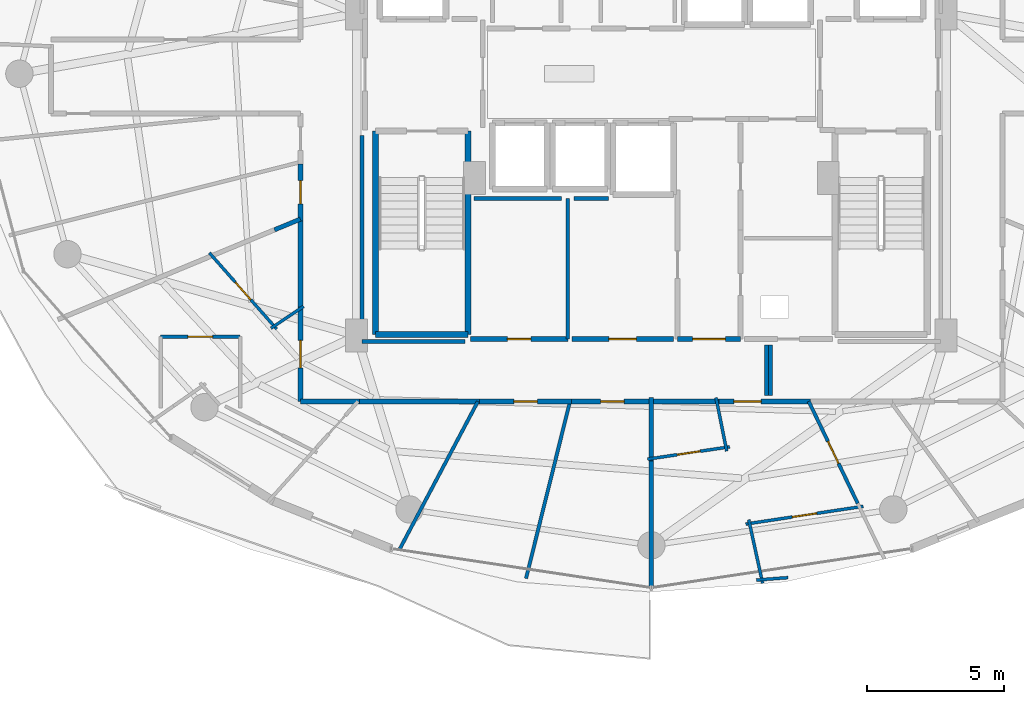
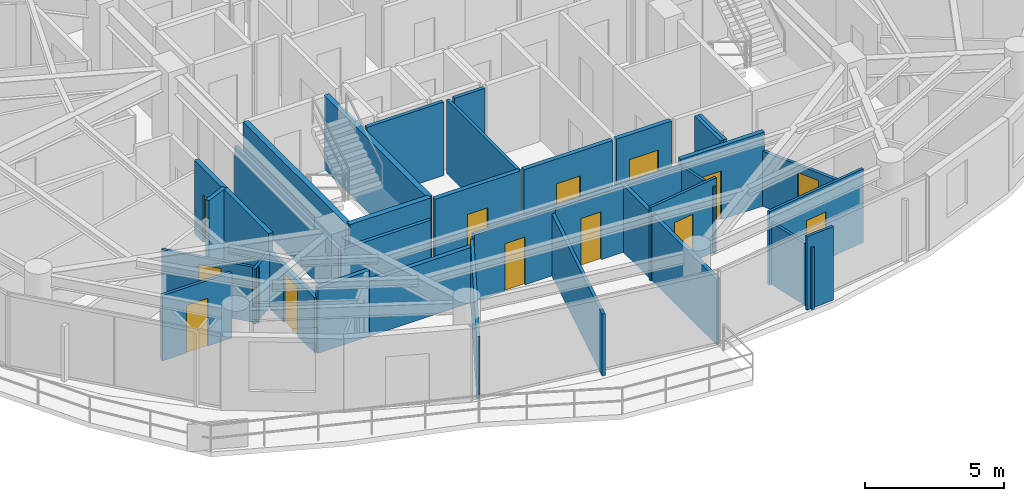
# One storey, part 20 of 28: 36 walls, 13 doors, 13 openings.
"""IFC4 building model written with IfcOpenShell, lengths in metres."""

from ifc_helpers import new_model, si_unit, direction, frame, frame_2d, origin, place, context, subcontext, project, spatial, rectangle, extrude, material, layer, layer_set, type_object, element, fill, save


model = new_model("IFC4")

# Units and contexts
model_context = context("Model", 3, precision=1e-05, world=origin(), true_north=direction((0.0, 1.0)))
body_context = subcontext(model_context, "Body", "Model", "MODEL_VIEW")
ifc_project = project(units=[si_unit("LENGTHUNIT", "METRE"), si_unit("AREAUNIT", "SQUARE_METRE"), si_unit("VOLUMEUNIT", "CUBIC_METRE"), si_unit("PLANEANGLEUNIT", "RADIAN"), si_unit("MASSUNIT", "GRAM", prefix="KILO")], contexts=[model_context])

# Site, building, storey
site_placement = place(None, origin())
site = spatial("IfcSite", under=ifc_project, at=site_placement, CompositionType="ELEMENT")
building_placement = place(site_placement, origin())
building = spatial("IfcBuilding", under=site, at=building_placement, Name="Vorneva Point Tower", CompositionType="ELEMENT")
storey_placement = place(building_placement, frame((0.0, 0.0, 160.60009765625)))
storey = spatial("IfcBuildingStorey", under=building, at=storey_placement, Name="L43", CompositionType="ELEMENT", Elevation=160.60009765625)

# Wall
ifc_material_1 = material(Name="Fire-rated acoustic gypsum stud partition", Category="gypsum")
ifc_layer_1 = layer(ifc_material_1, 0.110107421875)
ifc_layer_set_1 = layer_set([ifc_layer_1], Name="Fire-rated acoustic gypsum stud partition")
wall_type_1 = type_object("IfcWallType", Name="WL-PART-110", PredefinedType="PARTITIONING", material=ifc_layer_set_1)
wall_1_placement = place(storey_placement, frame((25.31640625, 17.513916015625, 0.0), z_axis=(0.0, 0.0, 1.0), x_axis=(-0.830948636418, -0.556349138253, 0.0)))
element("IfcWall", 1, at=wall_1_placement, inside=storey, type_object=wall_type_1, Name="L43 Interior Partition 103", PredefinedType="PARTITIONING", context=body_context, shape_type="SweptSolid", body=[
    extrude(rectangle(XDim=1.43408203125, YDim=0.110107421875, at=frame_2d((0.717041015625, 0.0))), origin(), (0.0, 0.0, 1.0), 2.431884765625),
])

# Wall, opening, door
wall_2_placement = place(storey_placement, frame((24.333740234375, 16.689208984375, 0.0), z_axis=(0.0, 0.0, 1.0), x_axis=(-0.662140147261, 0.749380027346, 0.0)))
wall_2 = element("IfcWall", 2, at=wall_2_placement, inside=storey, type_object=wall_type_1, Name="L43 Interior Partition 104", PredefinedType="PARTITIONING", context=body_context, shape_type="SweptSolid", body=[
    extrude(rectangle(XDim=3.705322265625, YDim=0.110107421875, at=frame_2d((1.8525390625, 0.0))), origin(), (0.0, 0.0, 1.0), 2.431884765625),
])
opening_1_placement = place(wall_2_placement, frame((1.427734375, 0.0, 0.0)))
opening_1 = element("IfcOpeningElement", 3, at=opening_1_placement, cuts=wall_2, Name="Opening ID-02", PredefinedType="OPENING", context=body_context, shape_type="SweptSolid", body=[
    extrude(rectangle(XDim=0.85009765625, YDim=2.10009765625, at=frame_2d((0.425048828125, 1.050048828125))), frame((0.0, 0.06982421875, 0.0), z_axis=(0.0, -1.0, 0.0), x_axis=(1.0, 0.0, 0.0)), (0.0, 0.0, 1.0), 0.139892578125),
])
ifc_material_2 = material(Name="Engineered oak fire-rated door leaf", Category="wood")
door_type_1 = type_object("IfcDoorType", Name="DR-BATH-850", OperationType="NOTDEFINED", PredefinedType="DOOR", material=ifc_material_2)
door_1_placement = place(opening_1_placement, origin())
door_1 = element("IfcDoor", 4, at=door_1_placement, inside=storey, type_object=door_type_1, Name="L43 Door Living and Dining Room L43-03 / Bathroom L43-03", OperationType="SINGLE_SWING_LEFT", OverallHeight=2.10009765625, OverallWidth=0.85009765625, PredefinedType="DOOR", context=body_context, shape_type="SweptSolid", body=[
    extrude(rectangle(XDim=0.85009765625, YDim=2.10009765625, at=frame_2d((0.425048828125, 1.050048828125))), frame((0.0, 0.02490234375, 0.0), z_axis=(0.0, -1.0, 0.0), x_axis=(1.0, 0.0, 0.0)), (0.0, 0.0, 1.0), 0.050048828125),
])
fill(opening_1, door_1)

# Wall
wall_3_placement = place(storey_placement, frame((40.357666015625, 14.187255859375, 0.0), z_axis=(0.0, 0.0, 1.0), x_axis=(0.195313900905, -0.980740781304, 0.0)))
element("IfcWall", 5, at=wall_3_placement, inside=storey, type_object=wall_type_1, Name="L43 Interior Partition 118", PredefinedType="PARTITIONING", context=body_context, shape_type="SweptSolid", body=[
    extrude(rectangle(XDim=1.989990234375, YDim=0.110107421875, at=frame_2d((0.9951171875, 0.0))), origin(), (0.0, 0.0, 1.0), 2.928955078125),
])

# Wall, opening, door
wall_4_placement = place(storey_placement, frame((40.857421875, 12.393798828125, 0.0), z_axis=(0.0, 0.0, 1.0), x_axis=(-0.988873015636, -0.148762088409, 0.0)))
wall_4 = element("IfcWall", 6, at=wall_4_placement, inside=storey, type_object=wall_type_1, Name="L43 Interior Partition 119", PredefinedType="PARTITIONING", context=body_context, shape_type="SweptSolid", body=[
    extrude(rectangle(XDim=3.029541015625, YDim=0.110107421875, at=frame_2d((1.5146484375, 0.0))), origin(), (0.0, 0.0, 1.0), 3.239990234375),
])
opening_2_placement = place(wall_4_placement, frame((1.089599609375, 0.0, 0.0)))
opening_2 = element("IfcOpeningElement", 7, at=opening_2_placement, cuts=wall_4, Name="Opening ID-02", PredefinedType="OPENING", context=body_context, shape_type="SweptSolid", body=[
    extrude(rectangle(XDim=0.85009765625, YDim=2.10009765625, at=frame_2d((0.425048828125, 1.050048828125))), frame((0.0, 0.06982421875, 0.0), z_axis=(0.0, -1.0, 0.0), x_axis=(1.0, 0.0, 0.0)), (0.0, 0.0, 1.0), 0.139892578125),
])
door_2_placement = place(opening_2_placement, origin())
door_2 = element("IfcDoor", 8, at=door_2_placement, inside=storey, type_object=door_type_1, Name="L43 Door Living and Dining Room L43-04 / Bathroom L43-04", OperationType="SINGLE_SWING_LEFT", OverallHeight=2.10009765625, OverallWidth=0.85009765625, PredefinedType="DOOR", context=body_context, shape_type="SweptSolid", body=[
    extrude(rectangle(XDim=0.85009765625, YDim=2.10009765625, at=frame_2d((0.425048828125, 1.050048828125))), frame((0.0, 0.02490234375, 0.0), z_axis=(0.0, -1.0, 0.0), x_axis=(1.0, 0.0, 0.0)), (0.0, 0.0, 1.0), 0.050048828125),
])
fill(opening_2, door_2)

# Wall
wall_5_placement = place(storey_placement, frame((42.056884765625, 7.414306640625, 0.0), z_axis=(0.0, 0.0, 1.0), x_axis=(-0.213381137421, 0.976969032361, 0.0)))
element("IfcWall", 9, at=wall_5_placement, inside=storey, type_object=wall_type_1, Name="L43 Interior Partition 120", PredefinedType="PARTITIONING", context=body_context, shape_type="SweptSolid", body=[
    extrude(rectangle(XDim=2.375244140625, YDim=0.110107421875, at=frame_2d((1.1875, 0.0))), origin(), (0.0, 0.0, 1.0), 2.727783203125),
])

# Wall, opening, door
wall_6_placement = place(storey_placement, frame((41.441650390625, 9.5771484375, 0.0), z_axis=(0.0, 0.0, 1.0), x_axis=(0.988864290865, 0.148820073417, 0.0)))
wall_6 = element("IfcWall", 10, at=wall_6_placement, inside=storey, type_object=wall_type_1, Name="L43 Interior Partition 121", PredefinedType="PARTITIONING", context=body_context, shape_type="SweptSolid", body=[
    extrude(rectangle(XDim=4.3310546875, YDim=0.110107421875, at=frame_2d((2.16552734375, 0.0))), origin(), (0.0, 0.0, 1.0), 3.239990234375),
])
opening_3_placement = place(wall_6_placement, frame((1.715576171875, 0.0, 0.0)))
opening_3 = element("IfcOpeningElement", 11, at=opening_3_placement, cuts=wall_6, Name="Opening ID-01", PredefinedType="OPENING", context=body_context, shape_type="SweptSolid", body=[
    extrude(rectangle(XDim=0.89990234375, YDim=2.10009765625, at=frame_2d((0.449951171875, 1.050048828125))), frame((0.0, 0.06982421875, 0.0), z_axis=(0.0, -1.0, 0.0), x_axis=(1.0, 0.0, 0.0)), (0.0, 0.0, 1.0), 0.139892578125),
])
door_type_2 = type_object("IfcDoorType", Name="DR-ROOM-900", OperationType="NOTDEFINED", PredefinedType="DOOR", material=ifc_material_2)
door_3_placement = place(opening_3_placement, origin())
door_3 = element("IfcDoor", 12, at=door_3_placement, inside=storey, type_object=door_type_2, Name="L43 Door Living and Dining Room L43-04 / Kitchen L43-04", OperationType="SINGLE_SWING_RIGHT", OverallHeight=2.10009765625, OverallWidth=0.89990234375, PredefinedType="DOOR", context=body_context, shape_type="SweptSolid", body=[
    extrude(rectangle(XDim=0.89990234375, YDim=2.10009765625, at=frame_2d((0.449951171875, 1.050048828125))), frame((0.0, 0.02490234375, 0.0), z_axis=(0.0, -1.0, 0.0), x_axis=(1.0, 0.0, 0.0)), (0.0, 0.0, 1.0), 0.050048828125),
])
fill(opening_3, door_3)

# Walls
wall_7_placement = place(storey_placement, frame((41.827392578125, 7.535400390625, 0.0), z_axis=(0.0, 0.0, 1.0), x_axis=(0.997175725754, 0.07510374137, 0.0)))
element("IfcWall", 13, at=wall_7_placement, inside=storey, type_object=wall_type_1, Name="L43 Interior Partition 123", PredefinedType="PARTITIONING", context=body_context, shape_type="SweptSolid", body=[
    extrude(rectangle(XDim=1.160400390625, YDim=0.110107421875, at=frame_2d((0.580078125, 0.0))), origin(), (0.0, 0.0, 1.0), 3.239990234375),
])
ifc_layer_2 = layer(ifc_material_1, 0.125)
ifc_layer_set_2 = layer_set([ifc_layer_2], Name="Fire-rated acoustic gypsum stud partition")
wall_type_2 = type_object("IfcWallType", Name="WL-PART-125", PredefinedType="PARTITIONING", material=ifc_layer_set_2)
wall_8_placement = place(storey_placement, frame((34.949951171875, 16.320068359375, 0.0), z_axis=(0.0, 0.0, 1.0), x_axis=(0.0, 1.0, 0.0)))
element("IfcWall", 14, at=wall_8_placement, inside=storey, type_object=wall_type_2, Name="L43 Interior Partition 031", PredefinedType="PARTITIONING", context=body_context, shape_type="SweptSolid", body=[
    extrude(rectangle(XDim=5.1298828125, YDim=0.125, at=frame_2d((2.56494140625, 0.0))), origin(), (0.0, 0.0, 1.0), 3.239990234375),
])

# Wall, opening, door
wall_9_placement = place(storey_placement, frame((20.09912109375, 16.408935546875, 0.0), z_axis=(0.0, 0.0, 1.0), x_axis=(1.0, 0.0, 0.0)))
wall_9 = element("IfcWall", 15, at=wall_9_placement, inside=storey, type_object=wall_type_2, Name="L43 Interior Partition 109", PredefinedType="PARTITIONING", context=body_context, shape_type="SweptSolid", body=[
    extrude(rectangle(XDim=2.89990234375, YDim=0.125, at=frame_2d((1.449951171875, 0.0))), origin(), (0.0, 0.0, 1.0), 2.885986328125),
])
opening_4_placement = place(wall_9_placement, frame((1.0, 0.0, 0.0)))
opening_4 = element("IfcOpeningElement", 16, at=opening_4_placement, cuts=wall_9, Name="Opening ID-01", PredefinedType="OPENING", context=body_context, shape_type="SweptSolid", body=[
    extrude(rectangle(XDim=0.89990234375, YDim=2.10009765625, at=frame_2d((0.449951171875, 1.050048828125))), frame((0.0, 0.077392578125, 0.0), z_axis=(0.0, -1.0, 0.0), x_axis=(1.0, 0.0, 0.0)), (0.0, 0.0, 1.0), 0.15478515625),
])
door_4_placement = place(opening_4_placement, origin())
door_4 = element("IfcDoor", 17, at=door_4_placement, inside=storey, type_object=door_type_2, Name="L43 Door Living and Dining Room L43-03 / Study Room L43-03", OperationType="SINGLE_SWING_LEFT", OverallHeight=2.10009765625, OverallWidth=0.89990234375, PredefinedType="DOOR", context=body_context, shape_type="SweptSolid", body=[
    extrude(rectangle(XDim=0.89990234375, YDim=2.10009765625, at=frame_2d((0.449951171875, 1.050048828125))), frame((0.0, 0.02490234375, 0.0), z_axis=(0.0, -1.0, 0.0), x_axis=(1.0, 0.0, 0.0)), (0.0, 0.0, 1.0), 0.050048828125),
])
fill(opening_4, door_4)

# Walls
wall_10_placement = place(storey_placement, frame((28.7939453125, 8.614013671875, 0.0), z_axis=(0.0, 0.0, 1.0), x_axis=(0.468046359573, 0.883703912682, 0.0)))
element("IfcWall", 18, at=wall_10_placement, inside=storey, type_object=wall_type_2, Name="L43 Interior Partition 114", PredefinedType="PARTITIONING", context=body_context, shape_type="SweptSolid", body=[
    extrude(rectangle(XDim=6.1513671875, YDim=0.125, at=frame_2d((3.07568359375, 0.0))), origin(), (0.0, 0.0, 1.0), 2.727783203125),
])
wall_11_placement = place(storey_placement, frame((33.427001953125, 7.592041015625, 0.0), z_axis=(0.0, 0.0, 1.0), x_axis=(0.241188715884, 0.970478234341, 0.0)))
element("IfcWall", 19, at=wall_11_placement, inside=storey, type_object=wall_type_2, Name="L43 Interior Partition 115", PredefinedType="PARTITIONING", context=body_context, shape_type="SweptSolid", body=[
    extrude(rectangle(XDim=6.654541015625, YDim=0.125, at=frame_2d((3.3271484375, 0.0))), origin(), (0.0, 0.0, 1.0), 2.727783203125),
])

# Wall, opening, door
wall_12_placement = place(storey_placement, frame((45.525634765625, 10.327392578125, 0.0), z_axis=(0.0, 0.0, 1.0), x_axis=(-0.432873287366, 0.90145477817, 0.0)))
wall_12 = element("IfcWall", 20, at=wall_12_placement, inside=storey, type_object=wall_type_2, Name="L43 Interior Partition 124", PredefinedType="PARTITIONING", context=body_context, shape_type="SweptSolid", body=[
    extrude(rectangle(XDim=4.129638671875, YDim=0.125, at=frame_2d((2.06494140625, 0.0))), origin(), (0.0, 0.0, 1.0), 2.431884765625),
])
opening_5_placement = place(wall_12_placement, frame((1.61474609375, 0.0, 0.0)))
opening_5 = element("IfcOpeningElement", 21, at=opening_5_placement, cuts=wall_12, Name="Opening ID-01", PredefinedType="OPENING", context=body_context, shape_type="SweptSolid", body=[
    extrude(rectangle(XDim=0.89990234375, YDim=2.10009765625, at=frame_2d((0.449951171875, 1.050048828125))), frame((0.0, 0.077392578125, 0.0), z_axis=(0.0, -1.0, 0.0), x_axis=(1.0, 0.0, 0.0)), (0.0, 0.0, 1.0), 0.15478515625),
])
door_5_placement = place(opening_5_placement, origin())
door_5 = element("IfcDoor", 22, at=door_5_placement, inside=storey, type_object=door_type_2, Name="L43 Door Living and Dining Room L43-04 / Master Bedroom L43-04.1", OperationType="SINGLE_SWING_LEFT", OverallHeight=2.10009765625, OverallWidth=0.89990234375, PredefinedType="DOOR", context=body_context, shape_type="SweptSolid", body=[
    extrude(rectangle(XDim=0.89990234375, YDim=2.10009765625, at=frame_2d((0.449951171875, 1.050048828125))), frame((0.0, 0.02490234375, 0.0), z_axis=(0.0, -1.0, 0.0), x_axis=(1.0, 0.0, 0.0)), (0.0, 0.0, 1.0), 0.050048828125),
])
fill(opening_5, door_5)

# Walls
ifc_layer_3 = layer(ifc_material_1, 0.139892578125)
ifc_layer_set_3 = layer_set([ifc_layer_3], Name="Fire-rated acoustic gypsum stud partition")
wall_type_3 = type_object("IfcWallType", Name="WL-PART-140", PredefinedType="PARTITIONING", material=ifc_layer_set_3)
wall_13_placement = place(storey_placement, frame((34.72998046875, 21.449951171875, 0.0), z_axis=(0.0, 0.0, 1.0), x_axis=(-1.0, 0.0, 0.0)))
element("IfcWall", 23, at=wall_13_placement, inside=storey, type_object=wall_type_3, Name="L43 Interior Closure Partition 135", PredefinedType="PARTITIONING", context=body_context, shape_type="SweptSolid", body=[
    extrude(rectangle(XDim=3.199951171875, YDim=0.139892578125, at=frame_2d((1.60009765625, 0.0))), origin(), (0.0, 0.0, 1.0), 3.239990234375),
])
wall_14_placement = place(storey_placement, frame((36.43896484375, 21.449951171875, 0.0), z_axis=(0.0, 0.0, 1.0), x_axis=(-1.0, 0.0, 0.0)))
element("IfcWall", 24, at=wall_14_placement, inside=storey, type_object=wall_type_3, Name="L43 Interior Closure Partition 136", PredefinedType="PARTITIONING", context=body_context, shape_type="SweptSolid", body=[
    extrude(rectangle(XDim=1.259033203125, YDim=0.139892578125, at=frame_2d((0.62939453125, 0.0))), origin(), (0.0, 0.0, 1.0), 3.239990234375),
])
wall_15_placement = place(storey_placement, frame((27.449951171875, 23.75390625, 0.0), z_axis=(0.0, 0.0, 1.0), x_axis=(0.0, -1.0, 0.0)))
element("IfcWall", 25, at=wall_15_placement, inside=storey, type_object=wall_type_3, Name="L43 Interior Closure Partition 146", PredefinedType="PARTITIONING", context=body_context, shape_type="SweptSolid", body=[
    extrude(rectangle(XDim=7.513916015625, YDim=0.139892578125, at=frame_2d((3.7568359375, 0.0))), origin(), (0.0, 0.0, 1.0), 2.431884765625),
])
wall_16_placement = place(storey_placement, frame((27.449951171875, 16.239990234375, 0.0), z_axis=(0.0, 0.0, 1.0), x_axis=(1.0, 0.0, 0.0)))
element("IfcWall", 26, at=wall_16_placement, inside=storey, type_object=wall_type_3, Name="L43 Interior Closure Partition 147", PredefinedType="PARTITIONING", context=body_context, shape_type="SweptSolid", body=[
    extrude(rectangle(XDim=3.7451171875, YDim=0.139892578125, at=frame_2d((1.87255859375, 0.0))), origin(), (0.0, 0.0, 1.0), 2.431884765625),
])
for number, where, z_axis, x_axis, name in (
    (27, (42.199951171875, 16.10009765625, 0.0), (0.0, 0.0, 1.0), (0.0, -1.0, 0.0), "L43 Interior Closure Partition 148"),
    (28, (42.340087890625, 14.27001953125, 0.0), (0.0, 0.0, 1.0), (0.0, 1.0, 0.0), "L43 Interior Closure Partition 149"),
):
    element("IfcWall", number, at=place(storey_placement, frame(where, z_axis=z_axis, x_axis=x_axis)), inside=storey, type_object=wall_type_3, Name=name, PredefinedType="PARTITIONING", context=body_context, shape_type="SweptSolid", body=[
        extrude(rectangle(XDim=1.830078125, YDim=0.139892578125, at=frame_2d((0.9150390625, 0.0))), origin(), (0.0, 0.0, 1.0), 3.239990234375),
    ])
ifc_layer_4 = layer(ifc_material_1, 0.159912109375)
ifc_layer_set_4 = layer_set([ifc_layer_4], Name="Fire-rated acoustic gypsum stud partition")
wall_type_4 = type_object("IfcWallType", Name="WL-PART-160", PredefinedType="PARTITIONING", material=ifc_layer_set_4)
wall_17_placement = place(storey_placement, frame((24.253662109375, 20.306396484375, 0.0), z_axis=(0.0, 0.0, 1.0), x_axis=(0.923789545328, 0.382900608439, 0.0)))
element("IfcWall", 29, at=wall_17_placement, inside=storey, type_object=wall_type_4, Name="L43 Interior Partition 102", PredefinedType="PARTITIONING", context=body_context, shape_type="SweptSolid", body=[
    extrude(rectangle(XDim=1.021484375, YDim=0.159912109375, at=frame_2d((0.5107421875, 0.0))), origin(), (0.0, 0.0, 1.0), 3.239990234375),
])
wall_18_placement = place(storey_placement, frame((38.0, 7.25, 0.0), z_axis=(0.0, 0.0, 1.0), x_axis=(0.0, 1.0, 0.0)))
element("IfcWall", 30, at=wall_18_placement, inside=storey, type_object=wall_type_4, Name="L43 Interior Partition 116", PredefinedType="PARTITIONING", context=body_context, shape_type="SweptSolid", body=[
    extrude(rectangle(XDim=4.77490234375, YDim=0.159912109375, at=frame_2d((2.387451171875, 0.0))), origin(), (0.0, 0.0, 1.0), 2.885986328125),
])
wall_19_placement = place(storey_placement, frame((38.0, 11.885009765625, 0.0), z_axis=(0.0, 0.0, 1.0), x_axis=(0.0, 1.0, 0.0)))
element("IfcWall", 31, at=wall_19_placement, inside=storey, type_object=wall_type_4, Name="L43 Interior Partition 117", PredefinedType="PARTITIONING", context=body_context, shape_type="SweptSolid", body=[
    extrude(rectangle(XDim=2.304931640625, YDim=0.159912109375, at=frame_2d((1.15234375, 0.0))), origin(), (0.0, 0.0, 1.0), 2.928955078125),
])

# Wall, opening, door
ifc_material_3 = material(Name="Autoclaved aerated concrete blockwork", Category="masonry")
ifc_layer_5 = layer(ifc_material_3, 0.179931640625)
ifc_layer_set_5 = layer_set([ifc_layer_5], Name="Autoclaved aerated concrete blockwork")
wall_type_5 = type_object("IfcWallType", Name="WL-PART-180", PredefinedType="PARTITIONING", material=ifc_layer_set_5)
wall_20_placement = place(storey_placement, frame((38.949951171875, 16.320068359375, 0.0), z_axis=(0.0, 0.0, 1.0), x_axis=(1.0, 0.0, 0.0)))
wall_20 = element("IfcWall", 32, at=wall_20_placement, inside=storey, type_object=wall_type_5, Name="L43 Interior Partition 017", PredefinedType="PARTITIONING", context=body_context, shape_type="SweptSolid", body=[
    extrude(rectangle(XDim=2.300048828125, YDim=0.179931640625, at=frame_2d((1.14990234375, 0.0))), origin(), (0.0, 0.0, 1.0), 3.239990234375),
])
opening_6_placement = place(wall_20_placement, frame((0.550048828125, 0.0, 0.0)))
opening_6 = element("IfcOpeningElement", 33, at=opening_6_placement, cuts=wall_20, Name="Opening FD-02", PredefinedType="OPENING", context=body_context, shape_type="SweptSolid", body=[
    extrude(rectangle(XDim=1.199951171875, YDim=2.14990234375, at=frame_2d((0.60009765625, 1.074951171875))), frame((0.0, 0.10498046875, 0.0), z_axis=(0.0, -1.0, 0.0), x_axis=(1.0, 0.0, 0.0)), (0.0, 0.0, 1.0), 0.209716796875),
])
ifc_material_4 = material(Name="Fire-rated powder-coated steel", Category="steel")
door_type_3 = type_object("IfcDoorType", Name="DR-FFL-1200", OperationType="NOTDEFINED", PredefinedType="DOOR", material=ifc_material_4)
door_6_placement = place(opening_6_placement, origin())
door_6 = element("IfcDoor", 34, at=door_6_placement, inside=storey, type_object=door_type_3, Name="L43 Door Core Service Lobby / L43 Circulation Corridor", OperationType="SINGLE_SWING_LEFT", OverallHeight=2.14990234375, OverallWidth=1.199951171875, PredefinedType="DOOR", context=body_context, shape_type="SweptSolid", body=[
    extrude(rectangle(XDim=1.199951171875, YDim=2.14990234375, at=frame_2d((0.60009765625, 1.074951171875))), frame((0.0, 0.02490234375, 0.0), z_axis=(0.0, -1.0, 0.0), x_axis=(1.0, 0.0, 0.0)), (0.0, 0.0, 1.0), 0.050048828125),
])
fill(opening_6, door_6)

wall_21_placement = place(storey_placement, frame((31.39990234375, 16.320068359375, 0.0), z_axis=(0.0, 0.0, 1.0), x_axis=(1.0, 0.0, 0.0)))
wall_21 = element("IfcWall", 35, at=wall_21_placement, inside=storey, type_object=wall_type_5, Name="L43 Interior Partition 032", PredefinedType="PARTITIONING", context=body_context, shape_type="SweptSolid", body=[
    extrude(rectangle(XDim=3.550048828125, YDim=0.179931640625, at=frame_2d((1.77490234375, 0.0))), origin(), (0.0, 0.0, 1.0), 3.239990234375),
])
opening_7_placement = place(wall_21_placement, frame((1.35009765625, 0.0, 0.0)))
opening_7 = element("IfcOpeningElement", 36, at=opening_7_placement, cuts=wall_21, Name="Opening ID-02", PredefinedType="OPENING", context=body_context, shape_type="SweptSolid", body=[
    extrude(rectangle(XDim=0.85009765625, YDim=2.10009765625, at=frame_2d((0.425048828125, 1.050048828125))), frame((0.0, 0.10498046875, 0.0), z_axis=(0.0, -1.0, 0.0), x_axis=(1.0, 0.0, 0.0)), (0.0, 0.0, 1.0), 0.209716796875),
])
door_7_placement = place(opening_7_placement, origin())
door_7 = element("IfcDoor", 37, at=door_7_placement, inside=storey, type_object=door_type_1, Name="L43 Door Luggage Store / L43 Circulation Corridor", OperationType="SINGLE_SWING_LEFT", OverallHeight=2.10009765625, OverallWidth=0.85009765625, PredefinedType="DOOR", context=body_context, shape_type="SweptSolid", body=[
    extrude(rectangle(XDim=0.85009765625, YDim=2.10009765625, at=frame_2d((0.425048828125, 1.050048828125))), frame((0.0, 0.02490234375, 0.0), z_axis=(0.0, -1.0, 0.0), x_axis=(1.0, 0.0, 0.0)), (0.0, 0.0, 1.0), 0.050048828125),
])
fill(opening_7, door_7)

wall_22_placement = place(storey_placement, frame((35.10009765625, 16.320068359375, 0.0), z_axis=(0.0, 0.0, 1.0), x_axis=(1.0, 0.0, 0.0)))
wall_22 = element("IfcWall", 38, at=wall_22_placement, inside=storey, type_object=wall_type_5, Name="L43 Interior Partition 033", PredefinedType="PARTITIONING", context=body_context, shape_type="SweptSolid", body=[
    extrude(rectangle(XDim=3.699951171875, YDim=0.179931640625, at=frame_2d((1.85009765625, 0.0))), origin(), (0.0, 0.0, 1.0), 3.239990234375),
])
opening_8_placement = place(wall_22_placement, frame((1.35009765625, 0.0, 0.0)))
opening_8 = element("IfcOpeningElement", 39, at=opening_8_placement, cuts=wall_22, Name="Opening UD-01", PredefinedType="OPENING", context=body_context, shape_type="SweptSolid", body=[
    extrude(rectangle(XDim=1.0, YDim=2.14990234375, at=frame_2d((0.5, 1.074951171875))), frame((0.0, 0.10498046875, 0.0), z_axis=(0.0, -1.0, 0.0), x_axis=(1.0, 0.0, 0.0)), (0.0, 0.0, 1.0), 0.209716796875),
])
door_type_4 = type_object("IfcDoorType", Name="DR-UNIT-1000", OperationType="NOTDEFINED", PredefinedType="DOOR", material=ifc_material_2)
door_8_placement = place(opening_8_placement, origin())
door_8 = element("IfcDoor", 40, at=door_8_placement, inside=storey, type_object=door_type_4, Name="L43 Door Staff Service Pantry / L43 Circulation Corridor", OperationType="SINGLE_SWING_RIGHT", OverallHeight=2.14990234375, OverallWidth=1.0, PredefinedType="DOOR", context=body_context, shape_type="SweptSolid", body=[
    extrude(rectangle(XDim=1.0, YDim=2.14990234375, at=frame_2d((0.5, 1.074951171875))), frame((0.0, 0.02490234375, 0.0), z_axis=(0.0, -1.0, 0.0), x_axis=(1.0, 0.0, 0.0)), (0.0, 0.0, 1.0), 0.050048828125),
])
fill(opening_8, door_8)

wall_23_placement = place(storey_placement, frame((25.199951171875, 22.716064453125, 0.0), z_axis=(0.0, 0.0, 1.0), x_axis=(0.0, -1.0, 0.0)))
wall_23 = element("IfcWall", 41, at=wall_23_placement, inside=storey, type_object=wall_type_5, Name="L43 Interior Partition 050", PredefinedType="PARTITIONING", context=body_context, shape_type="SweptSolid", body=[
    extrude(rectangle(XDim=2.0830078125, YDim=0.179931640625, at=frame_2d((1.04150390625, 0.0))), origin(), (0.0, 0.0, 1.0), 3.239990234375),
])
opening_9_placement = place(wall_23_placement, frame((0.616455078125, 0.0, 0.0)))
opening_9 = element("IfcOpeningElement", 42, at=opening_9_placement, cuts=wall_23, Name="Opening ID-02", PredefinedType="OPENING", context=body_context, shape_type="SweptSolid", body=[
    extrude(rectangle(XDim=0.85009765625, YDim=2.10009765625, at=frame_2d((0.425048828125, 1.050048828125))), frame((0.0, 0.10498046875, 0.0), z_axis=(0.0, -1.0, 0.0), x_axis=(1.0, 0.0, 0.0)), (0.0, 0.0, 1.0), 0.209716796875),
])
door_9_placement = place(opening_9_placement, origin())
door_9 = element("IfcDoor", 43, at=door_9_placement, inside=storey, type_object=door_type_1, Name="L43 Access Door L43 Circulation Corridor", OperationType="SINGLE_SWING_RIGHT", OverallHeight=2.10009765625, OverallWidth=0.85009765625, PredefinedType="DOOR", context=body_context, shape_type="SweptSolid", body=[
    extrude(rectangle(XDim=0.85009765625, YDim=2.10009765625, at=frame_2d((0.425048828125, 1.050048828125))), frame((0.0, 0.02490234375, 0.0), z_axis=(0.0, -1.0, 0.0), x_axis=(1.0, 0.0, 0.0)), (0.0, 0.0, 1.0), 0.050048828125),
])
fill(opening_9, door_9)

wall_24_placement = place(storey_placement, frame((25.199951171875, 17.49609375, 0.0), z_axis=(0.0, 0.0, 1.0), x_axis=(0.0, -1.0, 0.0)))
wall_24 = element("IfcWall", 44, at=wall_24_placement, inside=storey, type_object=wall_type_5, Name="L43 Interior Partition 051", PredefinedType="PARTITIONING", context=body_context, shape_type="SweptSolid", body=[
    extrude(rectangle(XDim=3.446044921875, YDim=0.179931640625, at=frame_2d((1.72314453125, 0.0))), origin(), (0.0, 0.0, 1.0), 2.431884765625),
])
opening_10_placement = place(wall_24_placement, frame((1.222900390625, 0.0, 0.0)))
opening_10 = element("IfcOpeningElement", 45, at=opening_10_placement, cuts=wall_24, Name="Opening UD-01", PredefinedType="OPENING", context=body_context, shape_type="SweptSolid", body=[
    extrude(rectangle(XDim=1.0, YDim=2.14990234375, at=frame_2d((0.5, 1.074951171875))), frame((0.0, 0.10498046875, 0.0), z_axis=(0.0, -1.0, 0.0), x_axis=(1.0, 0.0, 0.0)), (0.0, 0.0, 1.0), 0.209716796875),
])
door_10_placement = place(opening_10_placement, origin())
door_10 = element("IfcDoor", 46, at=door_10_placement, inside=storey, type_object=door_type_4, Name="L43 Door L43 Circulation Corridor / Living and Dining Room L43-03", OperationType="SINGLE_SWING_LEFT", OverallHeight=2.14990234375, OverallWidth=1.0, PredefinedType="DOOR", context=body_context, shape_type="SweptSolid", body=[
    extrude(rectangle(XDim=1.0, YDim=2.14990234375, at=frame_2d((0.5, 1.074951171875))), frame((0.0, 0.02490234375, 0.0), z_axis=(0.0, -1.0, 0.0), x_axis=(1.0, 0.0, 0.0)), (0.0, 0.0, 1.0), 0.050048828125),
])
fill(opening_10, door_10)

# Walls
wall_25_placement = place(storey_placement, frame((25.199951171875, 14.050048828125, 0.0), z_axis=(0.0, 0.0, 1.0), x_axis=(1.0, 0.0, 0.0)))
element("IfcWall", 47, at=wall_25_placement, inside=storey, type_object=wall_type_5, Name="L43 Interior Partition 052", PredefinedType="PARTITIONING", context=body_context, shape_type="SweptSolid", body=[
    extrude(rectangle(XDim=2.156982421875, YDim=0.179931640625, at=frame_2d((1.07861328125, 0.0))), origin(), (0.0, 0.0, 1.0), 2.885986328125),
])
wall_26_placement = place(storey_placement, frame((25.199951171875, 20.77294921875, 0.0), z_axis=(0.0, 0.0, 1.0), x_axis=(0.0, -1.0, 0.0)))
element("IfcWall", 48, at=wall_26_placement, inside=storey, type_object=wall_type_5, Name="L43 Interior Partition 053", PredefinedType="PARTITIONING", context=body_context, shape_type="SweptSolid", body=[
    extrude(rectangle(XDim=3.4169921875, YDim=0.179931640625, at=frame_2d((1.70849609375, 0.0))), origin(), (0.0, 0.0, 1.0), 3.239990234375),
])
wall_27_placement = place(storey_placement, frame((27.35693359375, 14.050048828125, 0.0), z_axis=(0.0, 0.0, 1.0), x_axis=(1.0, 0.0, 0.0)))
element("IfcWall", 49, at=wall_27_placement, inside=storey, type_object=wall_type_5, Name="L43 Interior Partition 054", PredefinedType="PARTITIONING", context=body_context, shape_type="SweptSolid", body=[
    extrude(rectangle(XDim=4.3759765625, YDim=0.179931640625, at=frame_2d((2.18798828125, 0.0))), origin(), (0.0, 0.0, 1.0), 2.431884765625),
])

# Wall, opening, door
wall_28_placement = place(storey_placement, frame((31.73291015625, 14.050048828125, 0.0), z_axis=(0.0, 0.0, 1.0), x_axis=(1.0, 0.0, 0.0)))
wall_28 = element("IfcWall", 50, at=wall_28_placement, inside=storey, type_object=wall_type_5, Name="L43 Interior Partition 055", PredefinedType="PARTITIONING", context=body_context, shape_type="SweptSolid", body=[
    extrude(rectangle(XDim=3.359130859375, YDim=0.179931640625, at=frame_2d((1.6796875, 0.0))), origin(), (0.0, 0.0, 1.0), 2.928955078125),
])
opening_11_placement = place(wall_28_placement, frame((1.25439453125, 0.0, 0.0)))
opening_11 = element("IfcOpeningElement", 51, at=opening_11_placement, cuts=wall_28, Name="Opening ID-02", PredefinedType="OPENING", context=body_context, shape_type="SweptSolid", body=[
    extrude(rectangle(XDim=0.85009765625, YDim=2.10009765625, at=frame_2d((0.425048828125, 1.050048828125))), frame((0.0, 0.10498046875, 0.0), z_axis=(0.0, -1.0, 0.0), x_axis=(1.0, 0.0, 0.0)), (0.0, 0.0, 1.0), 0.209716796875),
])
door_11_placement = place(opening_11_placement, origin())
door_11 = element("IfcDoor", 52, at=door_11_placement, inside=storey, type_object=door_type_1, Name="L43 Access Door L43 Circulation Corridor", OperationType="SINGLE_SWING_LEFT", OverallHeight=2.10009765625, OverallWidth=0.85009765625, PredefinedType="DOOR", context=body_context, shape_type="SweptSolid", body=[
    extrude(rectangle(XDim=0.85009765625, YDim=2.10009765625, at=frame_2d((0.425048828125, 1.050048828125))), frame((0.0, 0.02490234375, 0.0), z_axis=(0.0, -1.0, 0.0), x_axis=(1.0, 0.0, 0.0)), (0.0, 0.0, 1.0), 0.050048828125),
])
fill(opening_11, door_11)

wall_29_placement = place(storey_placement, frame((35.092041015625, 14.050048828125, 0.0), z_axis=(0.0, 0.0, 1.0), x_axis=(1.0, 0.0, 0.0)))
wall_29 = element("IfcWall", 53, at=wall_29_placement, inside=storey, type_object=wall_type_5, Name="L43 Interior Partition 056", PredefinedType="PARTITIONING", context=body_context, shape_type="SweptSolid", body=[
    extrude(rectangle(XDim=2.968017578125, YDim=0.179931640625, at=frame_2d((1.48388671875, 0.0))), origin(), (0.0, 0.0, 1.0), 2.928955078125),
])
opening_12_placement = place(wall_29_placement, frame((1.05908203125, 0.0, 0.0)))
opening_12 = element("IfcOpeningElement", 54, at=opening_12_placement, cuts=wall_29, Name="Opening ID-02", PredefinedType="OPENING", context=body_context, shape_type="SweptSolid", body=[
    extrude(rectangle(XDim=0.85009765625, YDim=2.10009765625, at=frame_2d((0.425048828125, 1.050048828125))), frame((0.0, 0.10498046875, 0.0), z_axis=(0.0, -1.0, 0.0), x_axis=(1.0, 0.0, 0.0)), (0.0, 0.0, 1.0), 0.209716796875),
])
door_12_placement = place(opening_12_placement, origin())
door_12 = element("IfcDoor", 55, at=door_12_placement, inside=storey, type_object=door_type_1, Name="L43 Access Door L43 Circulation Corridor", OperationType="SINGLE_SWING_RIGHT", OverallHeight=2.10009765625, OverallWidth=0.85009765625, PredefinedType="DOOR", context=body_context, shape_type="SweptSolid", body=[
    extrude(rectangle(XDim=0.85009765625, YDim=2.10009765625, at=frame_2d((0.425048828125, 1.050048828125))), frame((0.0, 0.02490234375, 0.0), z_axis=(0.0, -1.0, 0.0), x_axis=(1.0, 0.0, 0.0)), (0.0, 0.0, 1.0), 0.050048828125),
])
fill(opening_12, door_12)

wall_30_placement = place(storey_placement, frame((40.324951171875, 14.050048828125, 0.0), z_axis=(0.0, 0.0, 1.0), x_axis=(1.0, 0.0, 0.0)))
wall_30 = element("IfcWall", 56, at=wall_30_placement, inside=storey, type_object=wall_type_5, Name="L43 Interior Partition 057", PredefinedType="PARTITIONING", context=body_context, shape_type="SweptSolid", body=[
    extrude(rectangle(XDim=3.47998046875, YDim=0.179931640625, at=frame_2d((1.739990234375, 0.0))), origin(), (0.0, 0.0, 1.0), 3.239990234375),
])
opening_13_placement = place(wall_30_placement, frame((0.679931640625, 0.0, 0.0)))
opening_13 = element("IfcOpeningElement", 57, at=opening_13_placement, cuts=wall_30, Name="Opening UD-01", PredefinedType="OPENING", context=body_context, shape_type="SweptSolid", body=[
    extrude(rectangle(XDim=1.0, YDim=2.14990234375, at=frame_2d((0.5, 1.074951171875))), frame((0.0, 0.10498046875, 0.0), z_axis=(0.0, -1.0, 0.0), x_axis=(1.0, 0.0, 0.0)), (0.0, 0.0, 1.0), 0.209716796875),
])
door_13_placement = place(opening_13_placement, origin())
door_13 = element("IfcDoor", 58, at=door_13_placement, inside=storey, type_object=door_type_4, Name="L43 Door L43 Circulation Corridor / Living and Dining Room L43-04", OperationType="SINGLE_SWING_RIGHT", OverallHeight=2.14990234375, OverallWidth=1.0, PredefinedType="DOOR", context=body_context, shape_type="SweptSolid", body=[
    extrude(rectangle(XDim=1.0, YDim=2.14990234375, at=frame_2d((0.5, 1.074951171875))), frame((0.0, 0.02490234375, 0.0), z_axis=(0.0, -1.0, 0.0), x_axis=(1.0, 0.0, 0.0)), (0.0, 0.0, 1.0), 0.050048828125),
])
fill(opening_13, door_13)

# Walls
wall_31_placement = place(storey_placement, frame((37.919921875, 14.050048828125, 0.0), z_axis=(0.0, 0.0, 1.0), x_axis=(1.0, 0.0, 0.0)))
element("IfcWall", 59, at=wall_31_placement, inside=storey, type_object=wall_type_5, Name="L43 Interior Partition 058", PredefinedType="PARTITIONING", context=body_context, shape_type="SweptSolid", body=[
    extrude(rectangle(XDim=2.545166015625, YDim=0.179931640625, at=frame_2d((1.2724609375, 0.0))), origin(), (0.0, 0.0, 1.0), 2.928955078125),
])
ifc_material_5 = material(Name="Concrete B50 (C40/50)", Category="concrete")
ifc_layer_6 = layer(ifc_material_5, 0.219970703125)
ifc_layer_set_6 = layer_set([ifc_layer_6], Name="Concrete B50 (C40/50)")
wall_type_6 = type_object("IfcWallType", Name="WL-SHFT-220", PredefinedType="SOLIDWALL", material=ifc_layer_set_6)
wall_32_placement = place(storey_placement, frame((31.31005859375, 23.909912109375, 0.0), z_axis=(0.0, 0.0, 1.0), x_axis=(0.0, -1.0, 0.0)))
element("IfcWall", 60, at=wall_32_placement, inside=storey, type_object=wall_type_6, Name="L43 Exit Stair ST1 Shaft Wall right", PredefinedType="SOLIDWALL", context=body_context, shape_type="SweptSolid", body=[
    extrude(rectangle(XDim=7.419921875, YDim=0.219970703125, at=frame_2d((3.7099609375, 0.0))), origin(), (0.0, 0.0, 1.0), 3.239990234375),
])
wall_33_placement = place(storey_placement, frame((31.31005859375, 16.489990234375, 0.0), z_axis=(0.0, 0.0, 1.0), x_axis=(-1.0, 0.0, 0.0)))
element("IfcWall", 61, at=wall_33_placement, inside=storey, type_object=wall_type_6, Name="L43 Exit Stair ST1 Shaft Wall far", PredefinedType="SOLIDWALL", context=body_context, shape_type="SweptSolid", body=[
    extrude(rectangle(XDim=3.3701171875, YDim=0.219970703125, at=frame_2d((1.68505859375, 0.0))), origin(), (0.0, 0.0, 1.0), 3.239990234375),
])
wall_34_placement = place(storey_placement, frame((27.93994140625, 16.489990234375, 0.0), z_axis=(0.0, 0.0, 1.0), x_axis=(0.0, 1.0, 0.0)))
element("IfcWall", 62, at=wall_34_placement, inside=storey, type_object=wall_type_6, Name="L43 Exit Stair ST1 Shaft Wall left", PredefinedType="SOLIDWALL", context=body_context, shape_type="SweptSolid", body=[
    extrude(rectangle(XDim=7.419921875, YDim=0.219970703125, at=frame_2d((3.7099609375, 0.0))), origin(), (0.0, 0.0, 1.0), 3.239990234375),
])

save(model, "model.ifc")
